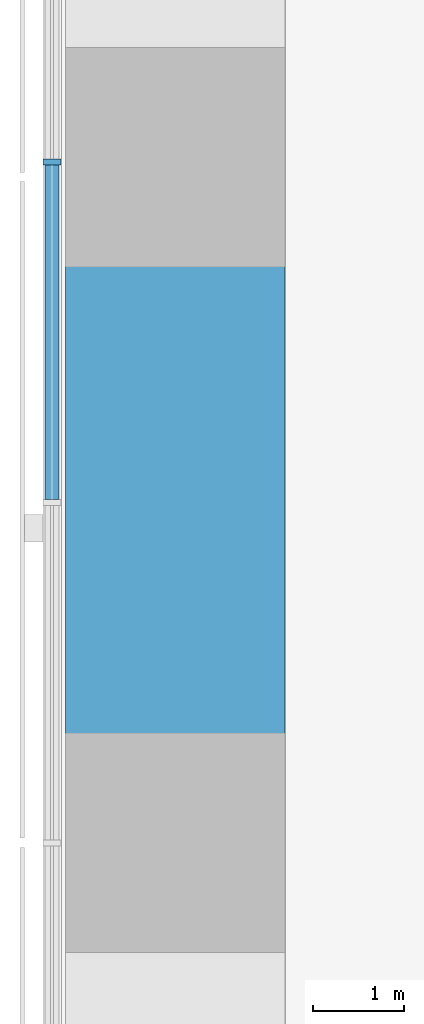
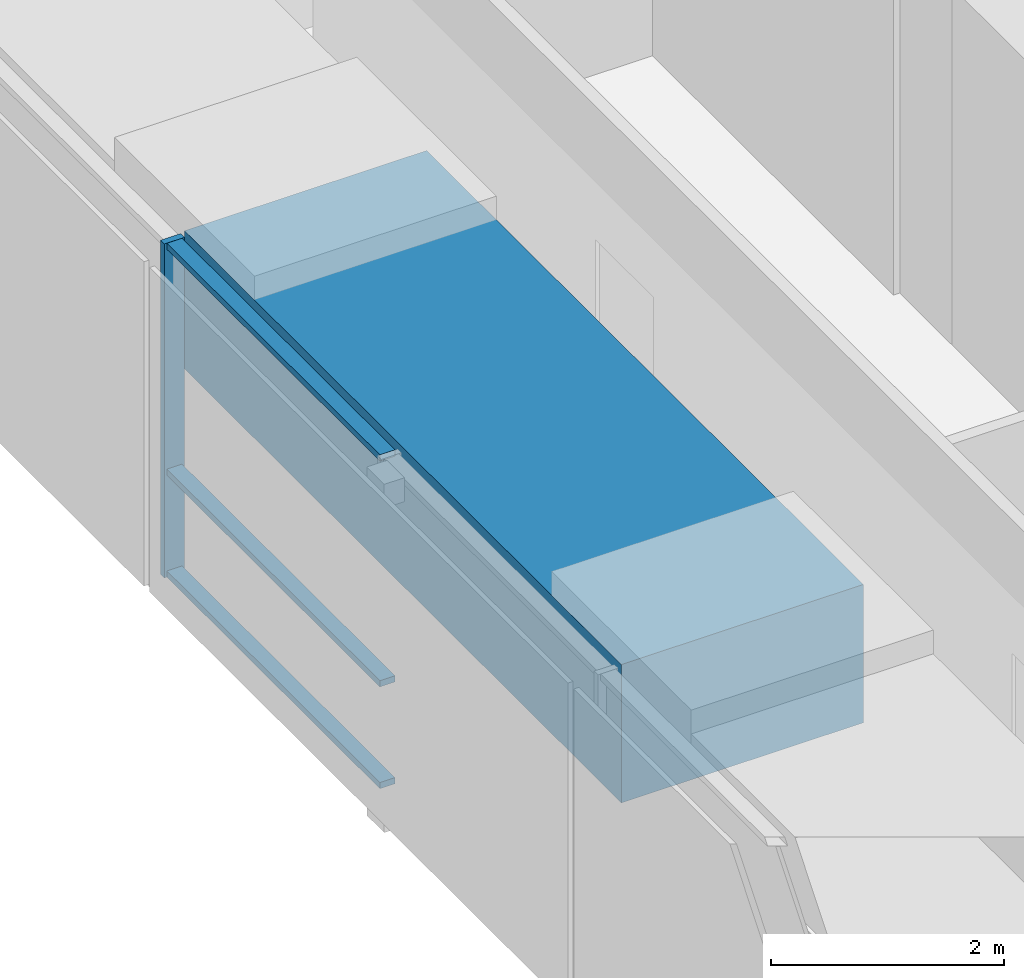
# One storey, part 3 of 17: 4 members, 1 beam, 1 element without a shape of its own.
"""IFC4 building model written with IfcOpenShell, lengths in metres."""

from ifc_helpers import new_model, si_unit, direction, frame, origin, origin_2d, place, context, subcontext, project, spatial, rectangle, extrude, material, material_profile, profile_set, type_object, element, aggregate, save


model = new_model("IFC4")

# Units and contexts
model_context = context("Model", 3, precision=1e-05, world=origin(), true_north=direction((0.0, 1.0)))
body_context = subcontext(model_context, "Body", "Model", "MODEL_VIEW")
ifc_project = project(units=[si_unit("LENGTHUNIT", "METRE"), si_unit("AREAUNIT", "SQUARE_METRE"), si_unit("VOLUMEUNIT", "CUBIC_METRE"), si_unit("PLANEANGLEUNIT", "RADIAN"), si_unit("MASSUNIT", "GRAM", prefix="KILO")], contexts=[model_context])

# Site, building, storey
site_placement = place(None, origin())
site = spatial("IfcSite", under=ifc_project, at=site_placement, CompositionType="ELEMENT")
building_placement = place(site_placement, origin())
building = spatial("IfcBuilding", under=site, at=building_placement, Name="Sheger Commons Tower", CompositionType="ELEMENT")
storey_placement = place(building_placement, frame((0.0, 0.0, 212.449951171875)))
storey = spatial("IfcBuildingStorey", under=building, at=storey_placement, Name="L54", CompositionType="ELEMENT", Elevation=212.449951171875)

# Curtain wall, member
ifc_material_1 = material(Name="Black aluminium curtain wall, dark tinted glazing", Category="aluminium")
curtain_wall_type = type_object("IfcCurtainWallType", Name="CURTAIN WALL CW4 GALLERY", PredefinedType="USERDEFINED", material=ifc_material_1)
curtain_wall_placement = place(storey_placement, origin())
curtain_wall = element("IfcCurtainWall", 1, at=curtain_wall_placement, inside=storey, type_object=curtain_wall_type, Name="Curtain Wall Cw4 Gallery W1 L54", ObjectType="UNITISED CURTAIN WALL", PredefinedType="USERDEFINED")
ifc_material_2 = material(Name="Black anodised aluminium", Category="aluminium")
ifc_material_profile_1 = material_profile(ifc_material_2, rectangle(XDim=0.199951171875, YDim=0.06494140625, at=origin_2d()), Name="AL 65x200")
ifc_profile_set_1 = profile_set([ifc_material_profile_1], Name="Black anodised aluminium")
member_type_1 = type_object("IfcMemberType", Name="MULLION AL 65x200", PredefinedType="MULLION", material=ifc_profile_set_1)
member_1_placement = place(storey_placement, frame((6.449951171875, 29.946044921875, 0.0), z_axis=(0.0, 0.0, 1.0), x_axis=(1.0, 0.0, 0.0)))
member_1 = element("IfcMember", 2, at=member_1_placement, type_object=member_type_1, Name="CW4 mullion 8", PredefinedType="MULLION", context=body_context, shape_type="SweptSolid", body=[
    extrude(rectangle(XDim=0.199951171875, YDim=0.06494140625, at=origin_2d()), origin(), (0.0, 0.0, 1.0), 3.5),
])

# Beam
ifc_material_3 = material(Name="Concrete C50/60", Category="concrete")
ifc_material_profile_2 = material_profile(ifc_material_3, rectangle(XDim=2.39990234375, YDim=1.449951171875, at=origin_2d()), Name="RC 2400x1450")
ifc_profile_set_2 = profile_set([ifc_material_profile_2], Name="Concrete C50/60")
beam_type = type_object("IfcBeamType", Name="SPANDREL RC 2400x1450", PredefinedType="SPANDREL", material=ifc_profile_set_2)
beam_placement = place(storey_placement, frame((7.800048828125, 30.0, 2.775146484375), z_axis=(0.0, -1.0, 0.0), x_axis=(1.0, 0.0, 0.0)))
element("IfcBeam", 3, at=beam_placement, inside=storey, type_object=beam_type, Name="Beam 2/E-2/D under L55", PredefinedType="SPANDREL", context=body_context, shape_type="SweptSolid", body=[
    extrude(rectangle(XDim=2.39990234375, YDim=1.449951171875, at=origin_2d()), origin(), (0.0, 0.0, 1.0), 7.5),
])

# Member
ifc_material_4 = material(Name="Black anodised aluminium", Category="aluminium")
ifc_material_profile_3 = material_profile(ifc_material_4, rectangle(XDim=0.14990234375, YDim=0.06494140625, at=origin_2d()), Name="AL 65x150")
ifc_profile_set_3 = profile_set([ifc_material_profile_3], Name="Black anodised aluminium")
member_type_2 = type_object("IfcMemberType", Name="TRANSOM AL 65x150", PredefinedType="USERDEFINED", material=ifc_profile_set_3)
member_2_placement = place(storey_placement, frame((6.449951171875, 29.91357421875, 0.032470703125), z_axis=(0.0, -1.0, 0.0), x_axis=(1.0, 0.0, 0.0)))
member_2 = element("IfcMember", 4, at=member_2_placement, type_object=member_type_2, Name="CW4 transom 8.1", ObjectType="TRANSOM", PredefinedType="USERDEFINED", context=body_context, shape_type="SweptSolid", body=[
    extrude(rectangle(XDim=0.14990234375, YDim=0.06494140625, at=origin_2d()), origin(), (0.0, 0.0, 1.0), 3.657958984375),
])

member_3_placement = place(storey_placement, frame((6.449951171875, 29.91357421875, 1.10009765625), z_axis=(0.0, -1.0, 0.0), x_axis=(1.0, 0.0, 0.0)))
member_3 = element("IfcMember", 5, at=member_3_placement, type_object=member_type_2, Name="CW4 transom 8.2", ObjectType="TRANSOM", PredefinedType="USERDEFINED", context=body_context, shape_type="SweptSolid", body=[
    extrude(rectangle(XDim=0.14990234375, YDim=0.06494140625, at=origin_2d()), origin(), (0.0, 0.0, 1.0), 3.657958984375),
])

member_4_placement = place(storey_placement, frame((6.449951171875, 29.91357421875, 3.467529296875), z_axis=(0.0, -1.0, 0.0), x_axis=(1.0, 0.0, 0.0)))
member_4 = element("IfcMember", 6, at=member_4_placement, type_object=member_type_2, Name="CW4 transom 8.3", ObjectType="TRANSOM", PredefinedType="USERDEFINED", context=body_context, shape_type="SweptSolid", body=[
    extrude(rectangle(XDim=0.14990234375, YDim=0.06494140625, at=origin_2d()), origin(), (0.0, 0.0, 1.0), 3.657958984375),
])

aggregate(curtain_wall, [member_1, member_2, member_3, member_4])

save(model, "model.ifc")
